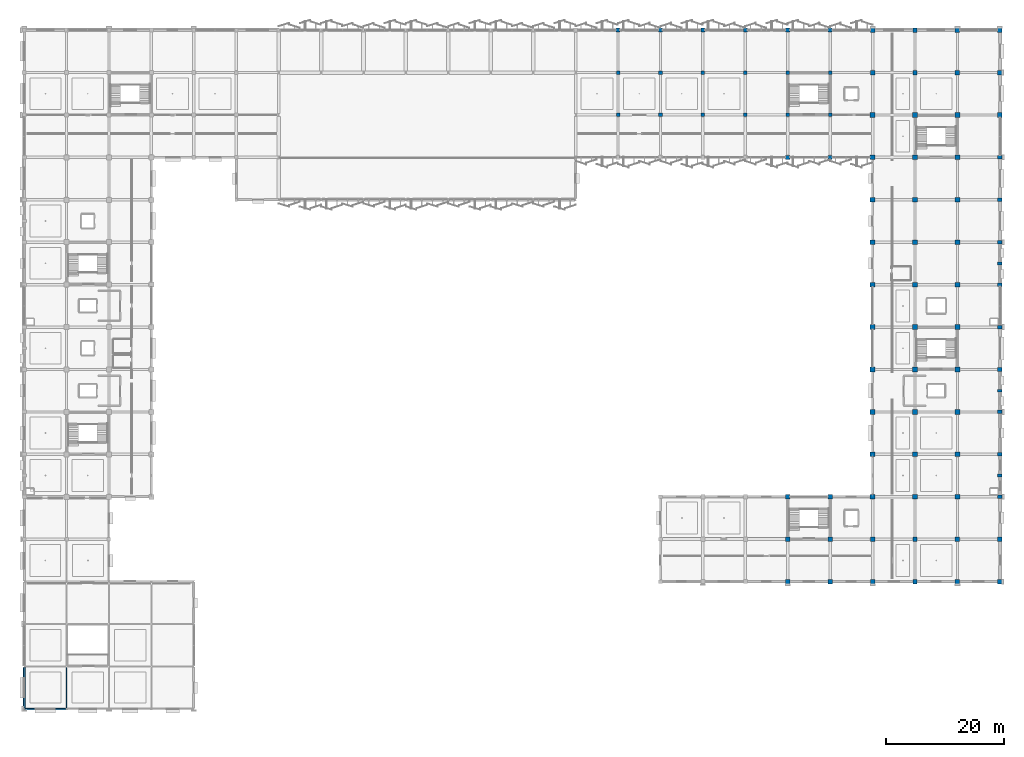
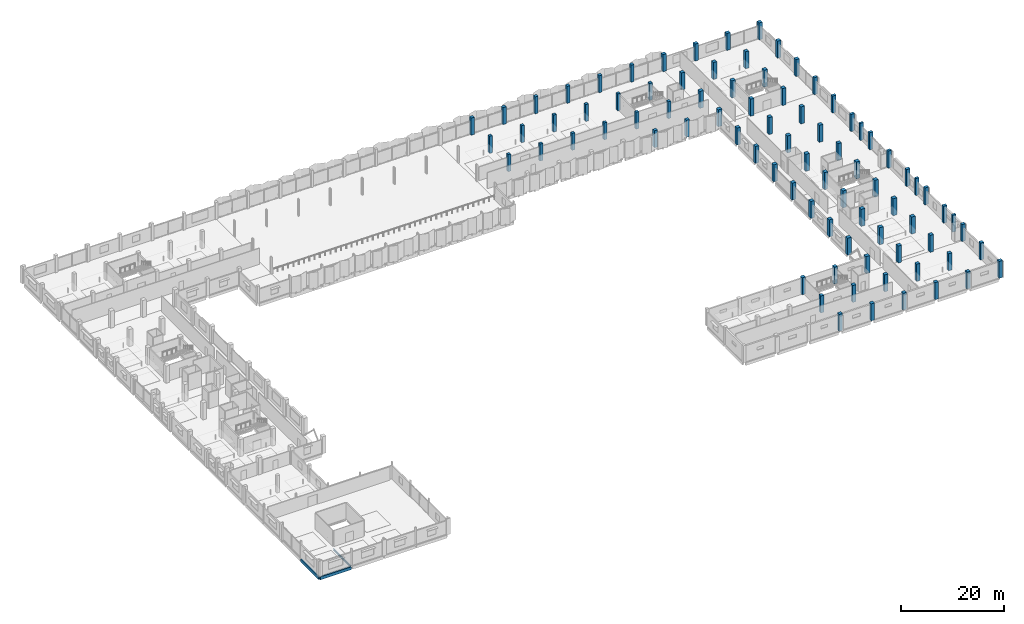
# One storey, part 12 of 107: 85 columns, 3 beams.
"""IFC4 building model written with IfcOpenShell, lengths in metres."""

from ifc_helpers import new_model, si_unit, direction, frame, origin, origin_2d, place, context, subcontext, project, spatial, rectangle, i_section, extrude, material, material_profile, profile_set, type_object, element, save


model = new_model("IFC4")

# Units and contexts
model_context = context("Model", 3, precision=1e-05, world=origin(), true_north=direction((0.0, 1.0)))
body_context = subcontext(model_context, "Body", "Model", "MODEL_VIEW")
ifc_project = project(units=[si_unit("LENGTHUNIT", "METRE"), si_unit("AREAUNIT", "SQUARE_METRE"), si_unit("VOLUMEUNIT", "CUBIC_METRE"), si_unit("PLANEANGLEUNIT", "RADIAN"), si_unit("MASSUNIT", "GRAM", prefix="KILO")], contexts=[model_context])

# Site, building, storey
site_placement = place(None, origin())
site = spatial("IfcSite", under=ifc_project, at=site_placement, CompositionType="ELEMENT")
building_placement = place(site_placement, origin())
building = spatial("IfcBuilding", under=site, at=building_placement, Name="Kangsadwip Square Police Headquarters", CompositionType="ELEMENT")
storey_placement = place(building_placement, frame((0.0, 0.0, 5.39990234375)))
storey = spatial("IfcBuildingStorey", under=building, at=storey_placement, Name="L01", CompositionType="ELEMENT", Elevation=5.39990234375)

# Columns
ifc_material_1 = material(Name="Concrete M35 (35 MPa)", Category="concrete")
ifc_material_profile_1 = material_profile(ifc_material_1, rectangle(XDim=0.60009765625, YDim=0.60009765625, at=origin_2d()), Name="RC COL 600X600")
ifc_profile_set_1 = profile_set([ifc_material_profile_1], Name="Concrete M35 (35 MPa)")
column_type_1 = type_object("IfcColumnType", Name="RcCol600x600", PredefinedType="COLUMN", material=ifc_profile_set_1)
for number, where, z_axis, x_axis, name in (
    (1, (100.800048828125, 100.800048828125, 0.0), (0.0, 0.0, 1.0), (1.0, 0.0, 0.0), "Column COL-L01-14-14"),
    (2, (100.800048828125, 108.0, 0.0), (0.0, 0.0, 1.0), (1.0, 0.0, 0.0), "Column COL-L01-14-15"),
    (3, (108.0, 100.800048828125, 0.0), (0.0, 0.0, 1.0), (1.0, 0.0, 0.0), "Column COL-L01-15-14"),
    (4, (108.0, 108.0, 0.0), (0.0, 0.0, 1.0), (1.0, 0.0, 0.0), "Column COL-L01-15-15"),
    (5, (115.199951171875, 100.800048828125, 0.0), (0.0, 0.0, 1.0), (1.0, 0.0, 0.0), "Column COL-L01-16-14"),
    (6, (115.199951171875, 108.0, 0.0), (0.0, 0.0, 1.0), (1.0, 0.0, 0.0), "Column COL-L01-16-15"),
    (7, (122.39990234375, 100.800048828125, 0.0), (0.0, 0.0, 1.0), (1.0, 0.0, 0.0), "Column COL-L01-17-14"),
    (8, (122.39990234375, 108.0, 0.0), (0.0, 0.0, 1.0), (1.0, 0.0, 0.0), "Column COL-L01-17-15"),
    (9, (129.60009765625, 100.800048828125, 0.0), (0.0, 0.0, 1.0), (1.0, 0.0, 0.0), "Column COL-L01-18-14"),
    (10, (129.60009765625, 108.0, 0.0), (0.0, 0.0, 1.0), (1.0, 0.0, 0.0), "Column COL-L01-18-15"),
    (11, (136.800048828125, 100.800048828125, 0.0), (0.0, 0.0, 1.0), (1.0, 0.0, 0.0), "Column COL-L01-19-14"),
    (12, (136.800048828125, 108.0, 0.0), (0.0, 0.0, 1.0), (1.0, 0.0, 0.0), "Column COL-L01-19-15"),
):
    element("IfcColumn", number, at=place(storey_placement, frame(where, z_axis=z_axis, x_axis=x_axis)), inside=storey, type_object=column_type_1, Name=name, PredefinedType="COLUMN", context=body_context, shape_type="SweptSolid", body=[
        extrude(rectangle(XDim=0.60009765625, YDim=0.60009765625, at=origin_2d()), origin(), (0.0, 0.0, 1.0), 4.050048828125),
    ])
ifc_material_2 = material(Name="Concrete M40 (40 MPa)", Category="concrete")
ifc_material_profile_2 = material_profile(ifc_material_2, rectangle(XDim=0.699951171875, YDim=0.699951171875, at=origin_2d()), Name="RC COL 700X700")
ifc_profile_set_2 = profile_set([ifc_material_profile_2], Name="Concrete M40 (40 MPa)")
column_type_2 = type_object("IfcColumnType", Name="RcCol700x700", PredefinedType="COLUMN", material=ifc_profile_set_2)
for number, where, z_axis, x_axis, name in (
    (13, (100.800048828125, 115.199951171875, 0.0), (0.0, 0.0, 1.0), (1.0, 0.0, 0.0), "Column COL-L01-14-16"),
    (14, (108.0, 115.199951171875, 0.0), (0.0, 0.0, 1.0), (1.0, 0.0, 0.0), "Column COL-L01-15-16"),
    (15, (115.199951171875, 115.199951171875, 0.0), (0.0, 0.0, 1.0), (1.0, 0.0, 0.0), "Column COL-L01-16-16"),
    (16, (122.39990234375, 115.199951171875, 0.0), (0.0, 0.0, 1.0), (1.0, 0.0, 0.0), "Column COL-L01-17-16"),
    (17, (129.60009765625, 93.60009765625, 0.0), (0.0, 0.0, 1.0), (1.0, 0.0, 0.0), "Column COL-L01-18-13"),
    (18, (129.60009765625, 115.199951171875, 0.0), (0.0, 0.0, 1.0), (1.0, 0.0, 0.0), "Column COL-L01-18-16"),
    (19, (136.800048828125, 93.60009765625, 0.0), (0.0, 0.0, 1.0), (1.0, 0.0, 0.0), "Column COL-L01-19-13"),
    (20, (136.800048828125, 115.199951171875, 0.0), (0.0, 0.0, 1.0), (1.0, 0.0, 0.0), "Column COL-L01-19-16"),
):
    element("IfcColumn", number, at=place(storey_placement, frame(where, z_axis=z_axis, x_axis=x_axis)), inside=storey, type_object=column_type_2, Name=name, PredefinedType="COLUMN", context=body_context, shape_type="SweptSolid", body=[
        extrude(rectangle(XDim=0.699951171875, YDim=0.699951171875, at=origin_2d()), origin(), (0.0, 0.0, 1.0), 4.050048828125),
    ])
ifc_material_3 = material(Name="Concrete M40 (40 MPa)", Category="concrete")
ifc_material_profile_3 = material_profile(ifc_material_3, rectangle(XDim=0.75, YDim=0.75, at=origin_2d()), Name="RC COL 750X750")
ifc_profile_set_3 = profile_set([ifc_material_profile_3], Name="Concrete M40 (40 MPa)")
column_type_3 = type_object("IfcColumnType", Name="RcCol750x750", PredefinedType="COLUMN", material=ifc_profile_set_3)
for number, where, z_axis, x_axis, name in (
    (21, (129.60009765625, 21.60009765625, 0.0), (0.0, 0.0, 1.0), (1.0, 0.0, 0.0), "Column COL-L01-18-03"),
    (22, (129.60009765625, 28.800048828125, 0.0), (0.0, 0.0, 1.0), (1.0, 0.0, 0.0), "Column COL-L01-18-04"),
    (23, (129.60009765625, 36.0, 0.0), (0.0, 0.0, 1.0), (1.0, 0.0, 0.0), "Column COL-L01-18-05"),
    (24, (136.800048828125, 21.60009765625, 0.0), (0.0, 0.0, 1.0), (1.0, 0.0, 0.0), "Column COL-L01-19-03"),
    (25, (136.800048828125, 28.800048828125, 0.0), (0.0, 0.0, 1.0), (1.0, 0.0, 0.0), "Column COL-L01-19-04"),
    (26, (136.800048828125, 36.0, 0.0), (0.0, 0.0, 1.0), (1.0, 0.0, 0.0), "Column COL-L01-19-05"),
    (27, (144.0, 21.60009765625, 0.0), (0.0, 0.0, 1.0), (1.0, 0.0, 0.0), "Column COL-L01-20-03"),
    (28, (144.0, 28.800048828125, 0.0), (0.0, 0.0, 1.0), (1.0, 0.0, 0.0), "Column COL-L01-20-04"),
    (29, (144.0, 108.0, 0.0), (0.0, 0.0, 1.0), (1.0, 0.0, 0.0), "Column COL-L01-20-15"),
    (30, (144.0, 115.199951171875, 0.0), (0.0, 0.0, 1.0), (1.0, 0.0, 0.0), "Column COL-L01-20-16"),
    (31, (151.199951171875, 21.60009765625, 0.0), (0.0, 0.0, 1.0), (1.0, 0.0, 0.0), "Column COL-L01-21-03"),
    (32, (151.199951171875, 28.800048828125, 0.0), (0.0, 0.0, 1.0), (1.0, 0.0, 0.0), "Column COL-L01-21-04"),
    (33, (151.199951171875, 108.0, 0.0), (0.0, 0.0, 1.0), (1.0, 0.0, 0.0), "Column COL-L01-21-15"),
    (34, (151.199951171875, 115.199951171875, 0.0), (0.0, 0.0, 1.0), (1.0, 0.0, 0.0), "Column COL-L01-21-16"),
    (35, (158.39990234375, 21.60009765625, 0.0), (0.0, 0.0, 1.0), (1.0, 0.0, 0.0), "Column COL-L01-22-03"),
    (36, (158.39990234375, 28.800048828125, 0.0), (0.0, 0.0, 1.0), (1.0, 0.0, 0.0), "Column COL-L01-22-04"),
    (37, (158.39990234375, 108.0, 0.0), (0.0, 0.0, 1.0), (1.0, 0.0, 0.0), "Column COL-L01-22-15"),
    (38, (158.39990234375, 115.199951171875, 0.0), (0.0, 0.0, 1.0), (1.0, 0.0, 0.0), "Column COL-L01-22-16"),
    (39, (165.60009765625, 21.60009765625, 0.0), (0.0, 0.0, 1.0), (1.0, 0.0, 0.0), "Column COL-L01-23-03"),
    (40, (165.60009765625, 28.800048828125, 0.0), (0.0, 0.0, 1.0), (1.0, 0.0, 0.0), "Column COL-L01-23-04"),
    (41, (165.60009765625, 108.0, 0.0), (0.0, 0.0, 1.0), (1.0, 0.0, 0.0), "Column COL-L01-23-15"),
    (42, (165.60009765625, 115.199951171875, 0.0), (0.0, 0.0, 1.0), (1.0, 0.0, 0.0), "Column COL-L01-23-16"),
):
    element("IfcColumn", number, at=place(storey_placement, frame(where, z_axis=z_axis, x_axis=x_axis)), inside=storey, type_object=column_type_3, Name=name, PredefinedType="COLUMN", context=body_context, shape_type="SweptSolid", body=[
        extrude(rectangle(XDim=0.75, YDim=0.75, at=origin_2d()), origin(), (0.0, 0.0, 1.0), 4.050048828125),
    ])
ifc_material_4 = material(Name="Concrete M40 (40 MPa)", Category="concrete")
ifc_material_profile_4 = material_profile(ifc_material_4, rectangle(XDim=0.60009765625, YDim=0.800048828125, at=origin_2d()), Name="RC COL 800X600")
ifc_profile_set_4 = profile_set([ifc_material_profile_4], Name="Concrete M40 (40 MPa)")
column_type_4 = type_object("IfcColumnType", Name="RcCol800x600", PredefinedType="COLUMN", material=ifc_profile_set_4)
for number, where, z_axis, x_axis, name in (
    (43, (165.60009765625, 36.0, 0.0), (0.0, 0.0, 1.0), (0.0, 1.0, 0.0), "Column COL-L01-23-05"),
    (44, (165.60009765625, 43.199951171875, 0.0), (0.0, 0.0, 1.0), (0.0, 1.0, 0.0), "Column COL-L01-23-06"),
    (45, (165.60009765625, 50.39990234375, 0.0), (0.0, 0.0, 1.0), (0.0, 1.0, 0.0), "Column COL-L01-23-07"),
    (46, (165.60009765625, 57.60009765625, 0.0), (0.0, 0.0, 1.0), (0.0, 1.0, 0.0), "Column COL-L01-23-08"),
    (47, (165.60009765625, 64.800048828125, 0.0), (0.0, 0.0, 1.0), (0.0, 1.0, 0.0), "Column COL-L01-23-09"),
    (48, (165.60009765625, 72.0, 0.0), (0.0, 0.0, 1.0), (0.0, 1.0, 0.0), "Column COL-L01-23-10"),
    (49, (165.60009765625, 79.199951171875, 0.0), (0.0, 0.0, 1.0), (0.0, 1.0, 0.0), "Column COL-L01-23-11"),
    (50, (165.60009765625, 86.39990234375, 0.0), (0.0, 0.0, 1.0), (0.0, 1.0, 0.0), "Column COL-L01-23-12"),
    (51, (165.60009765625, 93.60009765625, 0.0), (0.0, 0.0, 1.0), (0.0, 1.0, 0.0), "Column COL-L01-23-13"),
):
    element("IfcColumn", number, at=place(storey_placement, frame(where, z_axis=z_axis, x_axis=x_axis)), inside=storey, type_object=column_type_4, Name=name, PredefinedType="COLUMN", context=body_context, shape_type="SweptSolid", body=[
        extrude(rectangle(XDim=0.60009765625, YDim=0.800048828125, at=origin_2d()), origin(), (0.0, 0.0, 1.0), 4.050048828125),
    ])
ifc_material_5 = material(Name="Concrete M40 (40 MPa)", Category="concrete")
ifc_material_profile_5 = material_profile(ifc_material_5, rectangle(XDim=0.800048828125, YDim=0.800048828125, at=origin_2d()), Name="RC COL 800X800")
ifc_profile_set_5 = profile_set([ifc_material_profile_5], Name="Concrete M40 (40 MPa)")
column_type_5 = type_object("IfcColumnType", Name="RcCol800x800", PredefinedType="COLUMN", material=ifc_profile_set_5)
for number, where, z_axis, x_axis, name in (
    (52, (144.0, 36.0, 0.0), (0.0, 0.0, 1.0), (1.0, 0.0, 0.0), "Column COL-L01-20-05"),
    (53, (144.0, 43.199951171875, 0.0), (0.0, 0.0, 1.0), (1.0, 0.0, 0.0), "Column COL-L01-20-06"),
    (54, (144.0, 50.39990234375, 0.0), (0.0, 0.0, 1.0), (1.0, 0.0, 0.0), "Column COL-L01-20-07"),
    (55, (144.0, 57.60009765625, 0.0), (0.0, 0.0, 1.0), (1.0, 0.0, 0.0), "Column COL-L01-20-08"),
    (56, (144.0, 64.800048828125, 0.0), (0.0, 0.0, 1.0), (1.0, 0.0, 0.0), "Column COL-L01-20-09"),
    (57, (144.0, 72.0, 0.0), (0.0, 0.0, 1.0), (1.0, 0.0, 0.0), "Column COL-L01-20-10"),
    (58, (144.0, 79.199951171875, 0.0), (0.0, 0.0, 1.0), (1.0, 0.0, 0.0), "Column COL-L01-20-11"),
    (59, (144.0, 86.39990234375, 0.0), (0.0, 0.0, 1.0), (1.0, 0.0, 0.0), "Column COL-L01-20-12"),
    (60, (144.0, 93.60009765625, 0.0), (0.0, 0.0, 1.0), (1.0, 0.0, 0.0), "Column COL-L01-20-13"),
    (61, (144.0, 100.800048828125, 0.0), (0.0, 0.0, 1.0), (1.0, 0.0, 0.0), "Column COL-L01-20-14"),
    (62, (151.199951171875, 36.0, 0.0), (0.0, 0.0, 1.0), (1.0, 0.0, 0.0), "Column COL-L01-21-05"),
    (63, (151.199951171875, 43.199951171875, 0.0), (0.0, 0.0, 1.0), (1.0, 0.0, 0.0), "Column COL-L01-21-06"),
    (64, (151.199951171875, 50.39990234375, 0.0), (0.0, 0.0, 1.0), (1.0, 0.0, 0.0), "Column COL-L01-21-07"),
    (65, (151.199951171875, 57.60009765625, 0.0), (0.0, 0.0, 1.0), (1.0, 0.0, 0.0), "Column COL-L01-21-08"),
    (66, (151.199951171875, 64.800048828125, 0.0), (0.0, 0.0, 1.0), (1.0, 0.0, 0.0), "Column COL-L01-21-09"),
    (67, (151.199951171875, 72.0, 0.0), (0.0, 0.0, 1.0), (1.0, 0.0, 0.0), "Column COL-L01-21-10"),
    (68, (151.199951171875, 79.199951171875, 0.0), (0.0, 0.0, 1.0), (1.0, 0.0, 0.0), "Column COL-L01-21-11"),
    (69, (151.199951171875, 86.39990234375, 0.0), (0.0, 0.0, 1.0), (1.0, 0.0, 0.0), "Column COL-L01-21-12"),
    (70, (151.199951171875, 93.60009765625, 0.0), (0.0, 0.0, 1.0), (1.0, 0.0, 0.0), "Column COL-L01-21-13"),
    (71, (151.199951171875, 100.800048828125, 0.0), (0.0, 0.0, 1.0), (1.0, 0.0, 0.0), "Column COL-L01-21-14"),
    (72, (158.39990234375, 36.0, 0.0), (0.0, 0.0, 1.0), (1.0, 0.0, 0.0), "Column COL-L01-22-05"),
    (73, (158.39990234375, 43.199951171875, 0.0), (0.0, 0.0, 1.0), (1.0, 0.0, 0.0), "Column COL-L01-22-06"),
    (74, (158.39990234375, 50.39990234375, 0.0), (0.0, 0.0, 1.0), (1.0, 0.0, 0.0), "Column COL-L01-22-07"),
    (75, (158.39990234375, 57.60009765625, 0.0), (0.0, 0.0, 1.0), (1.0, 0.0, 0.0), "Column COL-L01-22-08"),
    (76, (158.39990234375, 64.800048828125, 0.0), (0.0, 0.0, 1.0), (1.0, 0.0, 0.0), "Column COL-L01-22-09"),
    (77, (158.39990234375, 72.0, 0.0), (0.0, 0.0, 1.0), (1.0, 0.0, 0.0), "Column COL-L01-22-10"),
    (78, (158.39990234375, 79.199951171875, 0.0), (0.0, 0.0, 1.0), (1.0, 0.0, 0.0), "Column COL-L01-22-11"),
    (79, (158.39990234375, 86.39990234375, 0.0), (0.0, 0.0, 1.0), (1.0, 0.0, 0.0), "Column COL-L01-22-12"),
    (80, (158.39990234375, 93.60009765625, 0.0), (0.0, 0.0, 1.0), (1.0, 0.0, 0.0), "Column COL-L01-22-13"),
    (81, (158.39990234375, 100.800048828125, 0.0), (0.0, 0.0, 1.0), (1.0, 0.0, 0.0), "Column COL-L01-22-14"),
    (82, (165.60009765625, 100.800048828125, 0.0), (0.0, 0.0, 1.0), (1.0, 0.0, 0.0), "Column COL-L01-23-14"),
):
    element("IfcColumn", number, at=place(storey_placement, frame(where, z_axis=z_axis, x_axis=x_axis)), inside=storey, type_object=column_type_5, Name=name, PredefinedType="COLUMN", context=body_context, shape_type="SweptSolid", body=[
        extrude(rectangle(XDim=0.800048828125, YDim=0.800048828125, at=origin_2d()), origin(), (0.0, 0.0, 1.0), 4.050048828125),
    ])
ifc_material_6 = material(Name="Concrete M40 (40 MPa)", Category="concrete")
ifc_material_profile_6 = material_profile(ifc_material_6, rectangle(XDim=0.449951171875, YDim=0.75, at=origin_2d()), Name="RC PIL 750X450")
ifc_profile_set_6 = profile_set([ifc_material_profile_6], Name="Concrete M40 (40 MPa)")
column_type_6 = type_object("IfcColumnType", Name="RcPil750x450", PredefinedType="PILASTER", material=ifc_profile_set_6)
for number, where, z_axis, x_axis, name in (
    (83, (165.60009765625, 39.60009765625, 0.0), (0.0, 0.0, 1.0), (0.0, 1.0, 0.0), "Colonnade Pilaster PIL-L01-030"),
    (84, (165.60009765625, 54.0, 0.0), (0.0, 0.0, 1.0), (0.0, 1.0, 0.0), "Colonnade Pilaster PIL-L01-038"),
    (85, (165.60009765625, 75.60009765625, 0.0), (0.0, 0.0, 1.0), (0.0, 1.0, 0.0), "Colonnade Pilaster PIL-L01-046"),
):
    element("IfcColumn", number, at=place(storey_placement, frame(where, z_axis=z_axis, x_axis=x_axis)), inside=storey, type_object=column_type_6, Name=name, PredefinedType="PILASTER", context=body_context, shape_type="SweptSolid", body=[
        extrude(rectangle(XDim=0.449951171875, YDim=0.75, at=origin_2d()), origin(), (0.0, 0.0, 1.0), 4.050048828125),
    ])

# Beams
ifc_material_7 = material(Name="Concrete M40 (40 MPa)", Category="concrete")
ifc_material_profile_7 = material_profile(ifc_material_7, rectangle(XDim=0.300048828125, YDim=0.699951171875, at=origin_2d()), Name="RC SPN 700X300")
ifc_profile_set_7 = profile_set([ifc_material_profile_7], Name="Concrete M40 (40 MPa)")
beam_type_1 = type_object("IfcBeamType", Name="RcSpandrel700x300", PredefinedType="SPANDREL", material=ifc_profile_set_7)
beam_1_placement = place(storey_placement, frame((0.125, 0.0, -0.58984375), z_axis=(1.0, 0.0, 0.0), x_axis=(0.0, 1.0, 0.0)))
element("IfcBeam", 86, at=beam_1_placement, inside=storey, type_object=beam_type_1, Name="Beam BM-L01-X-00-00", PredefinedType="SPANDREL", context=body_context, shape_type="SweptSolid", body=[
    extrude(rectangle(XDim=0.300048828125, YDim=0.699951171875, at=origin_2d()), origin(), (0.0, 0.0, 1.0), 6.949951171875),
])
beam_2_placement = place(storey_placement, frame((0.0, 0.14990234375, -0.58984375), z_axis=(0.0, 1.0, 0.0), x_axis=(-1.0, 0.0, 0.0)))
element("IfcBeam", 87, at=beam_2_placement, inside=storey, type_object=beam_type_1, Name="Beam BM-L01-Y-00-00", PredefinedType="SPANDREL", context=body_context, shape_type="SweptSolid", body=[
    extrude(rectangle(XDim=0.300048828125, YDim=0.699951171875, at=origin_2d()), origin(), (0.0, 0.0, 1.0), 6.900146484375),
])
ifc_material_8 = material(Name="Structural steel IS 2062 E350 (Grade 350, 350 MPa)", Category="steel")
ifc_material_profile_8 = material_profile(ifc_material_8, i_section(OverallWidth=0.199951171875, OverallDepth=0.39990234375, WebThickness=0.008544921875, FlangeThickness=0.012939453125, at=origin_2d()), Name="ISWB 400")
ifc_profile_set_8 = profile_set([ifc_material_profile_8], Name="Structural steel IS 2062 E350 (Grade 350, 350 MPa)")
beam_type_2 = type_object("IfcBeamType", Name="SteelBeamIswb400", PredefinedType="BEAM", material=ifc_profile_set_8)
beam_3_placement = place(storey_placement, frame((7.199951171875, 0.14990234375, -0.43994140625), z_axis=(0.0, 1.0, 0.0), x_axis=(-1.0, 0.0, 0.0)))
element("IfcBeam", 88, at=beam_3_placement, inside=storey, type_object=beam_type_2, Name="Beam BM-L01-Y-01-00", PredefinedType="BEAM", context=body_context, shape_type="SweptSolid", body=[
    extrude(i_section(OverallWidth=0.199951171875, OverallDepth=0.39990234375, WebThickness=0.008544921875, FlangeThickness=0.012939453125, at=origin_2d()), origin(), (0.0, 0.0, 1.0), 6.900146484375),
])

save(model, "model.ifc")
